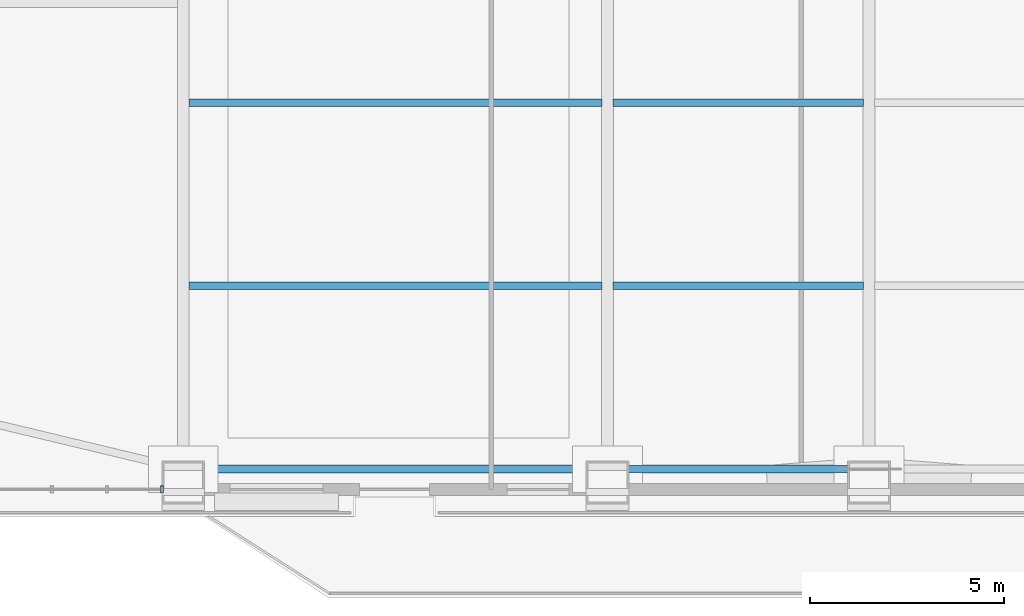
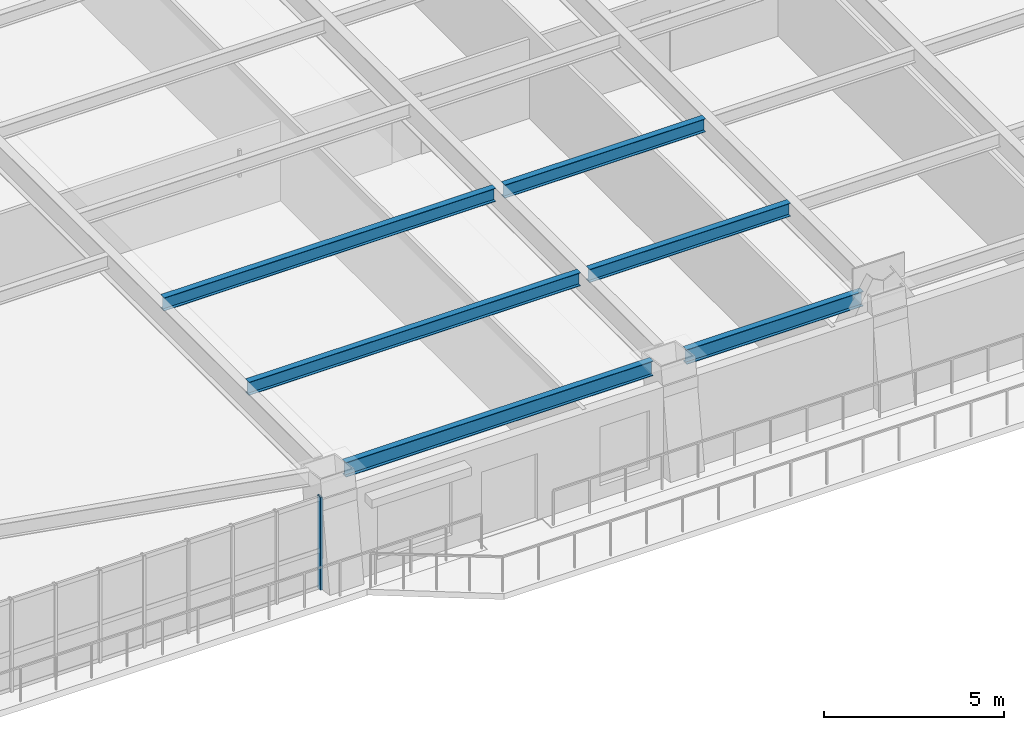
# One storey, part 4 of 17: 6 beams, 1 member, 1 element without a shape of its own.
"""IFC4 building model written with IfcOpenShell, lengths in metres."""

from ifc_helpers import new_model, si_unit, direction, frame, origin, origin_2d, place, context, subcontext, project, spatial, hollow_rectangle, i_section, extrude, source, transform, mapped, material, layer, layer_set, material_profile, profile_set, type_object, element, aggregate, save


model = new_model("IFC4")

# Units and contexts
model_context = context("Model", 3, precision=1e-05, world=origin(), true_north=direction((0.0, 1.0)))
body_context = subcontext(model_context, "Body", "Model", "MODEL_VIEW")
ifc_project = project(units=[si_unit("LENGTHUNIT", "METRE"), si_unit("AREAUNIT", "SQUARE_METRE"), si_unit("VOLUMEUNIT", "CUBIC_METRE"), si_unit("PLANEANGLEUNIT", "RADIAN"), si_unit("MASSUNIT", "GRAM", prefix="KILO")], contexts=[model_context])

# Site, building, storey
site_placement = place(None, origin())
site = spatial("IfcSite", under=ifc_project, at=site_placement, CompositionType="ELEMENT")
building_placement = place(site_placement, origin())
building = spatial("IfcBuilding", under=site, at=building_placement, Name="Giltprow Tower", CompositionType="ELEMENT")
storey_placement = place(building_placement, frame((0.0, 0.0, 44.89990234375)))
storey = spatial("IfcBuildingStorey", under=building, at=storey_placement, Name="L11", CompositionType="ELEMENT", Elevation=44.89990234375)

# Beams
ifc_material_1 = material(Name="Structural steel Q355B", Category="steel")
ifc_material_profile_1 = material_profile(ifc_material_1, i_section(OverallWidth=0.199951171875, OverallDepth=0.5, WebThickness=0.010009765625, FlangeThickness=0.01611328125, at=origin_2d()), Name="HN 500x200x10x16")
ifc_profile_set_1 = profile_set([ifc_material_profile_1], Name="Structural steel Q355B")
beam_type_1 = type_object("IfcBeamType", Name="BM-SPAN-HN500", PredefinedType="SPANDREL", material=ifc_profile_set_1)
shared_shape_1 = source(origin(), body_context, "Body", "SweptSolid", [
    extrude(i_section(OverallWidth=0.199951171875, OverallDepth=0.5, WebThickness=0.010009765625, FlangeThickness=0.01611328125, at=origin_2d()), origin(), (0.0, 0.0, 1.0), 9.8798828125),
])
beam_1_placement = place(storey_placement, frame((20.385009765625, 4.35400390625, 3.3701171875), z_axis=(1.0, 0.0, 0.0), x_axis=(0.0, 1.0, 0.0)))
element("IfcBeam", 1, at=beam_1_placement, inside=storey, type_object=beam_type_1, Name="L11 Perimeter Spandrel Beam S1-S2", PredefinedType="SPANDREL", context=body_context, shape_type="MappedRepresentation", body=[
    mapped(shared_shape_1, transform((0.0, 0.0, 0.0), x_axis=(1.0, 0.0, 0.0), y_axis=(0.0, 1.0, 0.0), z_axis=(0.0, 0.0, 1.0), scale=1.0)),
])
shared_shape_2 = source(origin(), body_context, "Body", "SweptSolid", [
    extrude(i_section(OverallWidth=0.199951171875, OverallDepth=0.5, WebThickness=0.010009765625, FlangeThickness=0.01611328125, at=origin_2d()), origin(), (0.0, 0.0, 1.0), 5.679931640625),
])
beam_2_placement = place(storey_placement, frame((31.3349609375, 4.35400390625, 3.3701171875), z_axis=(1.0, 0.0, 0.0), x_axis=(0.0, 1.0, 0.0)))
element("IfcBeam", 2, at=beam_2_placement, inside=storey, type_object=beam_type_1, Name="L11 Perimeter Spandrel Beam S2-S_MID", PredefinedType="SPANDREL", context=body_context, shape_type="MappedRepresentation", body=[
    mapped(shared_shape_2, transform((0.0, 0.0, 0.0), x_axis=(1.0, 0.0, 0.0), y_axis=(0.0, 1.0, 0.0), z_axis=(0.0, 0.0, 1.0), scale=1.0)),
])
ifc_material_profile_2 = material_profile(ifc_material_1, i_section(OverallWidth=0.199951171875, OverallDepth=0.449951171875, WebThickness=0.009033203125, FlangeThickness=0.013916015625, at=origin_2d()), Name="HN 450x200x9x14")
ifc_profile_set_2 = profile_set([ifc_material_profile_2], Name="Structural steel Q355B")
beam_type_2 = type_object("IfcBeamType", Name="BM-JOIST-HN450", PredefinedType="JOIST", material=ifc_profile_set_2)
shared_shape_3 = source(origin(), body_context, "Body", "SweptSolid", [
    extrude(i_section(OverallWidth=0.199951171875, OverallDepth=0.449951171875, WebThickness=0.009033203125, FlangeThickness=0.013916015625, at=origin_2d()), origin(), (0.0, 0.0, 1.0), 10.659912109375),
])
for number, where, z_axis, x_axis, name in (
    (3, (19.9951171875, 9.08203125, 3.39501953125), (1.0, 0.0, 0.0), (0.0, 1.0, 0.0), "L11 Composite Floor Joist 1-1"),
    (4, (19.9951171875, 13.81005859375, 3.39501953125), (1.0, 0.0, 0.0), (0.0, 1.0, 0.0), "L11 Composite Floor Joist 2-1"),
):
    element("IfcBeam", number, at=place(storey_placement, frame(where, z_axis=z_axis, x_axis=x_axis)), inside=storey, type_object=beam_type_2, Name=name, PredefinedType="JOIST", context=body_context, shape_type="MappedRepresentation", body=[
        mapped(shared_shape_3, transform((0.0, 0.0, 0.0), x_axis=(1.0, 0.0, 0.0), y_axis=(0.0, 1.0, 0.0), z_axis=(0.0, 0.0, 1.0), scale=1.0)),
    ])
shared_shape_4 = source(origin(), body_context, "Body", "SweptSolid", [
    extrude(i_section(OverallWidth=0.199951171875, OverallDepth=0.449951171875, WebThickness=0.009033203125, FlangeThickness=0.013916015625, at=origin_2d()), origin(), (0.0, 0.0, 1.0), 6.4599609375),
])
for number, where, z_axis, x_axis, name in (
    (5, (30.945068359375, 9.08203125, 3.39501953125), (1.0, 0.0, 0.0), (0.0, 1.0, 0.0), "L11 Composite Floor Joist 1-2"),
    (6, (30.945068359375, 13.81005859375, 3.39501953125), (1.0, 0.0, 0.0), (0.0, 1.0, 0.0), "L11 Composite Floor Joist 2-2"),
):
    element("IfcBeam", number, at=place(storey_placement, frame(where, z_axis=z_axis, x_axis=x_axis)), inside=storey, type_object=beam_type_2, Name=name, PredefinedType="JOIST", context=body_context, shape_type="MappedRepresentation", body=[
        mapped(shared_shape_4, transform((0.0, 0.0, 0.0), x_axis=(1.0, 0.0, 0.0), y_axis=(0.0, 1.0, 0.0), z_axis=(0.0, 0.0, 1.0), scale=1.0)),
    ])

# Curtain wall, member
ifc_material_2 = material(Name="Anodized bronze", Category="metal")
ifc_layer = layer(ifc_material_2, 0.179931640625, Name="Anodized bronze")
ifc_layer_set = layer_set([ifc_layer], Name="Anodized bronze")
curtain_wall_type = type_object("IfcCurtainWallType", Name="CW-OFF-RECESSED", PredefinedType="NOTDEFINED", material=ifc_layer_set)
curtain_wall_placement = place(storey_placement, origin())
curtain_wall = element("IfcCurtainWall", 7, at=curtain_wall_placement, inside=storey, type_object=curtain_wall_type, Name="L11 South Recessed Curtain Wall 1", PredefinedType="NOTDEFINED")
ifc_material_profile_3 = material_profile(ifc_material_2, hollow_rectangle(XDim=0.074951171875, YDim=0.179931640625, WallThickness=0.008056640625, at=origin_2d()), Name="RHS 180x75x8")
ifc_profile_set_3 = profile_set([ifc_material_profile_3], Name="Anodized bronze")
member_type = type_object("IfcMemberType", Name="CW-MULLION-180x75", PredefinedType="MULLION", material=ifc_profile_set_3)
shared_shape_5 = source(origin(), body_context, "Body", "SweptSolid", [
    extrude(hollow_rectangle(XDim=0.074951171875, YDim=0.179931640625, WallThickness=0.008056640625, at=origin_2d()), origin(), (0.0, 0.0, 1.0), 3.155029296875),
])
member_placement = place(storey_placement, frame((19.300048828125, 3.826904296875, -0.02001953125), z_axis=(0.0, 0.0, 1.0), x_axis=(1.0, 0.0, 0.0)))
member = element("IfcMember", 8, at=member_placement, type_object=member_type, Name="L11 South Recessed Curtain Wall 1 Mullion 10", PredefinedType="MULLION", context=body_context, shape_type="MappedRepresentation", body=[
    mapped(shared_shape_5, transform((0.0, 0.0, 0.0), x_axis=(1.0, 0.0, 0.0), y_axis=(0.0, 1.0, 0.0), z_axis=(0.0, 0.0, 1.0), scale=1.0)),
])
aggregate(curtain_wall, [member])

save(model, "model.ifc")
